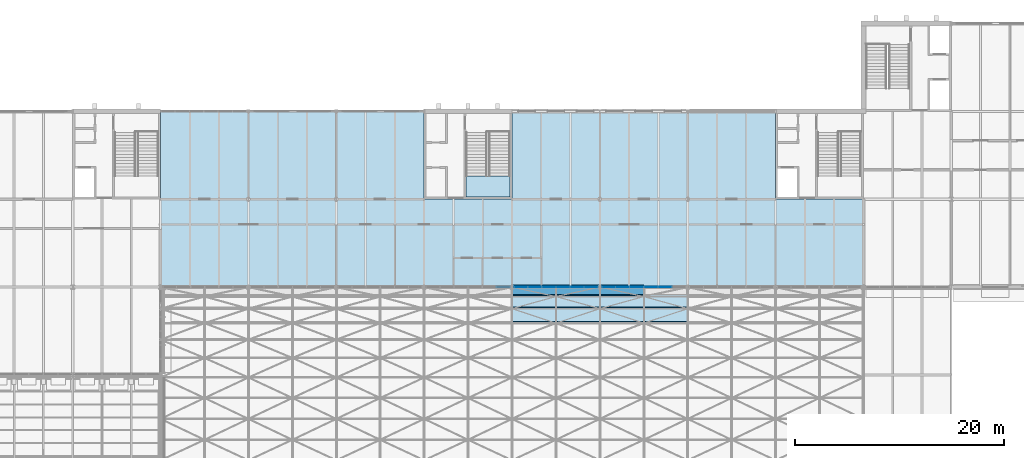
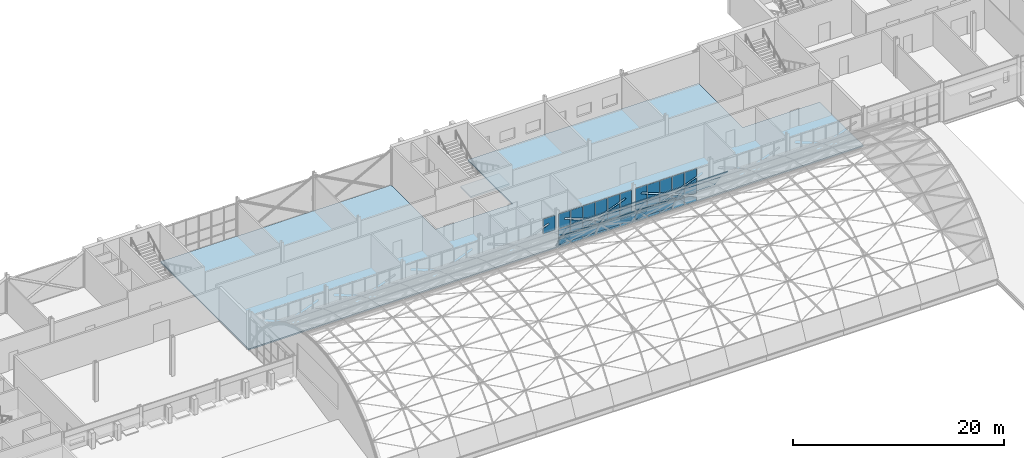
# One storey, part 77 of 121: 56 plates, 2 slabs, 4 elements without a shape of their own.
"""IFC4 building model written with IfcOpenShell, lengths in metres."""

from ifc_helpers import new_model, si_unit, direction, frame, origin, place, context, subcontext, project, spatial, polyline, outline, extrude, material, layer, layer_set, type_object, element, aggregate, save


model = new_model("IFC4")

# Units and contexts
model_context = context("Model", 3, precision=1e-05, world=origin(), true_north=direction((0.0, 1.0)))
body_context = subcontext(model_context, "Body", "Model", "MODEL_VIEW")
ifc_project = project(units=[si_unit("LENGTHUNIT", "METRE"), si_unit("AREAUNIT", "SQUARE_METRE"), si_unit("VOLUMEUNIT", "CUBIC_METRE"), si_unit("PLANEANGLEUNIT", "RADIAN"), si_unit("MASSUNIT", "GRAM", prefix="KILO")], contexts=[model_context])

# Site, building, storey
site_placement = place(None, origin())
site = spatial("IfcSite", under=ifc_project, at=site_placement, CompositionType="ELEMENT")
building_placement = place(site_placement, origin())
building = spatial("IfcBuilding", under=site, at=building_placement, Name="Ardhachandra Cancer Care Centre", CompositionType="ELEMENT")
storey_placement = place(building_placement, frame((0.0, 0.0, 9.0)))
storey = spatial("IfcBuildingStorey", under=building, at=storey_placement, Name="L02", CompositionType="ELEMENT", Elevation=9.0)

# Slab
ifc_material_1 = material(Name="Composite slab Concrete M30 on steel deck", Category="concrete")
ifc_layer_1 = layer(ifc_material_1, 0.14990234375)
ifc_layer_set_1 = layer_set([ifc_layer_1], Name="Composite slab Concrete M30 on steel deck")
slab_type_1 = type_object("IfcSlabType", Name="Composite floor slab 150", PredefinedType="FLOOR", material=ifc_layer_set_1)
slab_1_placement = place(storey_placement, frame((0.0, 0.0, -0.14990234375)))
element("IfcSlab", 1, at=slab_1_placement, inside=storey, type_object=slab_type_1, Name="Floor slab V1-strip", PredefinedType="FLOOR", context=body_context, shape_type="SweptSolid", body=[
    extrude(outline(polyline([(111.60009765625, 88.199951171875), (103.199951171875, 88.199951171875), (103.199951171875, 96.60009765625), (78.0, 96.60009765625), (78.0, 88.199951171875), (69.60009765625, 88.199951171875), (69.60009765625, 96.60009765625), (44.39990234375, 96.60009765625), (44.39990234375, 88.199951171875), (44.39990234375, 79.922119140625), (111.60009765625, 79.922119140625), (111.60009765625, 88.199951171875)])), origin(), (0.0, 0.0, 1.0), 0.14990234375),
])

# Curtain wall, plate
ifc_material_2 = material(Name="Aluminium extrusion", Category="aluminium")
ifc_layer_2 = layer(ifc_material_2, 0.14990234375)
ifc_layer_set_2 = layer_set([ifc_layer_2], Name="Aluminium extrusion")
curtain_wall_type = type_object("IfcCurtainWallType", Name="Curtain wall run", PredefinedType="NOTDEFINED", material=ifc_layer_set_2)
curtain_wall_1_placement = place(storey_placement, origin())
curtain_wall_1 = element("IfcCurtainWall", 2, at=curtain_wall_1_placement, inside=storey, type_object=curtain_wall_type, Name="Curtain wall L02 s/0069600_0079800", PredefinedType="NOTDEFINED")
ifc_material_3 = material(Name="Low-iron double-glazed unit")
ifc_layer_3 = layer(ifc_material_3, 0.028076171875)
ifc_layer_set_3 = layer_set([ifc_layer_3], Name="Low-iron double-glazed unit")
plate_type_1 = type_object("IfcPlateType", Name="Curtain wall glazing 28", PredefinedType="CURTAIN_PANEL", material=ifc_layer_set_3)
plate_1_placement = place(storey_placement, frame((76.530029296875, 79.800048828125, 3.825927734375), z_axis=(0.0, 1.0, 0.0), x_axis=(1.0, 0.0, 0.0)))
plate_1 = element("IfcPlate", 3, at=plate_1_placement, type_object=plate_type_1, Name="CW panel 6.3", PredefinedType="CURTAIN_PANEL", context=body_context, shape_type="SweptSolid", body=[
    extrude(outline(polyline([(0.0, 0.0), (1.260009765625, 0.0), (1.260009765625, 1.696044921875), (0.0, 1.696044921875), (0.0, 1.0986328125), (0.572021484375, 0.875), (0.59130859375, 0.86279296875), (0.614990234375, 0.837646484375), (0.63037109375, 0.806884765625), (0.635986328125, 0.77294921875), (0.63427734375, 0.750244140625), (0.628173828125, 0.72802734375), (0.61767578125, 0.70751953125), (0.603515625, 0.689453125), (0.576416015625, 0.66845703125), (0.555419921875, 0.6591796875), (0.532958984375, 0.654296875), (0.510009765625, 0.65380859375), (0.476318359375, 0.661376953125), (0.0, 0.84716796875), (0.0, 0.0)])), origin(), (0.0, 0.0, 1.0), 0.028076171875),
])
aggregate(curtain_wall_1, [plate_1])

# Curtain wall, plates
curtain_wall_2_placement = place(storey_placement, origin())
curtain_wall_2 = element("IfcCurtainWall", 4, at=curtain_wall_2_placement, inside=storey, type_object=curtain_wall_type, Name="Curtain wall L02 s/0078000_0079800", PredefinedType="NOTDEFINED")
plate_2_placement = place(storey_placement, frame((79.469970703125, 79.800048828125, 0.06005859375), z_axis=(0.0, 1.0, 0.0), x_axis=(-1.0, 0.0, 0.0)))
plate_2 = element("IfcPlate", 5, at=plate_2_placement, type_object=plate_type_1, Name="CW panel 1.1", PredefinedType="CURTAIN_PANEL", context=body_context, shape_type="SweptSolid", body=[
    extrude(outline(polyline([(0.0, 0.0), (1.0302734375, 0.0), (0.0, 0.438720703125), (0.0, 0.0)])), origin(), (0.0, 0.0, 1.0), 0.028076171875),
])
plate_3_placement = place(storey_placement, frame((78.2099609375, 79.800048828125, 0.8701171875), z_axis=(0.0, 1.0, 0.0), x_axis=(1.0, 0.0, 0.0)))
plate_3 = element("IfcPlate", 6, at=plate_3_placement, type_object=plate_type_1, Name="CW panel 1.1", PredefinedType="CURTAIN_PANEL", context=body_context, shape_type="SweptSolid", body=[
    extrude(outline(polyline([(0.0, 0.0), (1.260009765625, 0.0), (1.260009765625, 0.11669921875), (0.0, 0.6533203125), (0.0, 0.0)])), frame((0.0, 0.0, -0.028076171875)), (0.0, 0.0, 1.0), 0.028076171875),
])
plate_4_placement = place(storey_placement, frame((78.2099609375, 79.800048828125, 0.929931640625), z_axis=(0.0, 1.0, 0.0), x_axis=(0.0, 0.0, 1.0)))
plate_4 = element("IfcPlate", 7, at=plate_4_placement, type_object=plate_type_1, Name="CW panel 1.2", PredefinedType="CURTAIN_PANEL", context=body_context, shape_type="SweptSolid", body=[
    extrude(outline(polyline([(0.0, 0.0), (1.14013671875, 0.0), (1.14013671875, 1.260009765625), (0.0, 1.260009765625), (0.0, 0.0)])), origin(), (0.0, 0.0, 1.0), 0.028076171875),
])
plate_5_placement = place(storey_placement, frame((79.469970703125, 79.800048828125, 2.1298828125), z_axis=(0.0, 1.0, 0.0), x_axis=(-1.0, 0.0, 0.0)))
plate_5 = element("IfcPlate", 8, at=plate_5_placement, type_object=plate_type_1, Name="CW panel 1.3", PredefinedType="CURTAIN_PANEL", context=body_context, shape_type="SweptSolid", body=[
    extrude(outline(polyline([(0.0, 0.0), (1.260009765625, 0.0), (1.260009765625, 1.696044921875), (0.0, 1.696044921875), (0.0, 0.848876953125), (0.476318359375, 1.03466796875), (0.510009765625, 1.042236328125), (0.532958984375, 1.041748046875), (0.555419921875, 1.036865234375), (0.576416015625, 1.027587890625), (0.603515625, 1.006591796875), (0.61767578125, 0.988525390625), (0.628173828125, 0.968017578125), (0.63427734375, 0.94580078125), (0.635986328125, 0.923095703125), (0.63037109375, 0.88916015625), (0.62109375, 0.8681640625), (0.60009765625, 0.8408203125), (0.572021484375, 0.821044921875), (0.0, 0.597412109375), (0.0, 0.0)])), origin(), (0.0, 0.0, 1.0), 0.028076171875),
])
plate_6_placement = place(storey_placement, frame((80.820068359375, 79.800048828125, 0.8701171875), z_axis=(0.0, 1.0, 0.0), x_axis=(0.0, 0.0, -1.0)))
plate_6 = element("IfcPlate", 9, at=plate_6_placement, type_object=plate_type_1, Name="CW panel 2.1", PredefinedType="CURTAIN_PANEL", context=body_context, shape_type="SweptSolid", body=[
    extrude(outline(polyline([(0.0, 0.0), (0.81005859375, 0.0), (0.81005859375, 1.2900390625), (0.345703125, 1.2900390625), (0.0, 0.478515625), (0.0, 0.0)])), frame((0.0, 0.0, -0.028076171875)), (0.0, 0.0, 1.0), 0.028076171875),
])
plate_7_placement = place(storey_placement, frame((79.530029296875, 79.800048828125, 0.929931640625), z_axis=(0.0, 1.0, 0.0), x_axis=(0.0, 0.0, 1.0)))
plate_7 = element("IfcPlate", 10, at=plate_7_placement, type_object=plate_type_1, Name="CW panel 2.2", PredefinedType="CURTAIN_PANEL", context=body_context, shape_type="SweptSolid", body=[
    extrude(outline(polyline([(0.0, 0.0), (1.14013671875, 0.0), (1.14013671875, 1.2900390625), (0.3984375, 1.2900390625), (0.0, 0.3544921875), (0.0, 0.0)])), origin(), (0.0, 0.0, 1.0), 0.028076171875),
])
plate_8_placement = place(storey_placement, frame((80.820068359375, 79.800048828125, 2.1298828125), z_axis=(0.0, 1.0, 0.0), x_axis=(-1.0, 0.0, 0.0)))
plate_8 = element("IfcPlate", 11, at=plate_8_placement, type_object=plate_type_1, Name="CW panel 2.3", PredefinedType="CURTAIN_PANEL", context=body_context, shape_type="SweptSolid", body=[
    extrude(outline(polyline([(0.0, 0.0), (1.2900390625, 0.0), (1.2900390625, 0.573974609375), (0.0, 0.0712890625), (0.0, 0.0)])), origin(), (0.0, 0.0, 1.0), 0.028076171875),
])
plate_9_placement = place(storey_placement, frame((79.530029296875, 79.800048828125, 3.825927734375), z_axis=(0.0, 1.0, 0.0), x_axis=(1.0, 0.0, 0.0)))
plate_9 = element("IfcPlate", 12, at=plate_9_placement, type_object=plate_type_1, Name="CW panel 2.3", PredefinedType="CURTAIN_PANEL", context=body_context, shape_type="SweptSolid", body=[
    extrude(outline(polyline([(0.0, 0.0), (1.2900390625, 0.0), (1.2900390625, 1.373291015625), (0.0, 0.87060546875), (0.0, 0.0)])), frame((0.0, 0.0, -0.028076171875)), (0.0, 0.0, 1.0), 0.028076171875),
])
plate_10_placement = place(storey_placement, frame((80.8798828125, 79.800048828125, 0.06005859375), z_axis=(0.0, 1.0, 0.0), x_axis=(0.0, 0.0, 1.0)))
plate_10 = element("IfcPlate", 13, at=plate_10_placement, type_object=plate_type_1, Name="CW panel 3.1", PredefinedType="CURTAIN_PANEL", context=body_context, shape_type="SweptSolid", body=[
    extrude(outline(polyline([(0.0, 0.0), (0.81005859375, 0.0), (0.81005859375, 1.2900390625), (0.0, 1.2900390625), (0.0, 0.0)])), origin(), (0.0, 0.0, 1.0), 0.028076171875),
])
plate_11_placement = place(storey_placement, frame((82.169921875, 79.800048828125, 0.929931640625), z_axis=(0.0, 1.0, 0.0), x_axis=(-1.0, 0.0, 0.0)))
plate_11 = element("IfcPlate", 14, at=plate_11_placement, type_object=plate_type_1, Name="CW panel 3.2", PredefinedType="CURTAIN_PANEL", context=body_context, shape_type="SweptSolid", body=[
    extrude(outline(polyline([(0.0, 0.0), (1.2900390625, 0.0), (1.2900390625, 0.16943359375), (0.0, 0.718994140625), (0.0, 0.0)])), origin(), (0.0, 0.0, 1.0), 0.028076171875),
])
plate_12_placement = place(storey_placement, frame((80.8798828125, 79.800048828125, 2.070068359375), z_axis=(0.0, 1.0, 0.0), x_axis=(1.0, 0.0, 0.0)))
plate_12 = element("IfcPlate", 15, at=plate_12_placement, type_object=plate_type_1, Name="CW panel 3.2", PredefinedType="CURTAIN_PANEL", context=body_context, shape_type="SweptSolid", body=[
    extrude(outline(polyline([(0.0, 0.0), (0.2763671875, 0.0), (1.009765625, 0.285888671875), (0.0, 0.716064453125), (0.0, 0.0)])), frame((0.0, 0.0, -0.028076171875)), (0.0, 0.0, 1.0), 0.028076171875),
])
plate_13_placement = place(storey_placement, frame((80.8798828125, 79.800048828125, 3.825927734375), z_axis=(0.0, 1.0, 0.0), x_axis=(1.0, 0.0, 0.0)))
plate_13 = element("IfcPlate", 16, at=plate_13_placement, type_object=plate_type_1, Name="CW panel 3.3", PredefinedType="CURTAIN_PANEL", context=body_context, shape_type="SweptSolid", body=[
    extrude(outline(polyline([(0.0, 0.0), (1.2900390625, 0.0), (1.2900390625, 1.696044921875), (0.767578125, 1.696044921875), (0.0, 1.396728515625), (0.0, 0.0)])), origin(), (0.0, 0.0, 1.0), 0.028076171875),
])
plate_14_placement = place(storey_placement, frame((82.22998046875, 79.800048828125, 0.06005859375), z_axis=(0.0, 1.0, 0.0), x_axis=(0.0, 0.0, 1.0)))
plate_14 = element("IfcPlate", 17, at=plate_14_placement, type_object=plate_type_1, Name="CW panel 4.1", PredefinedType="CURTAIN_PANEL", context=body_context, shape_type="SweptSolid", body=[
    extrude(outline(polyline([(0.0, 0.0), (0.81005859375, 0.0), (0.81005859375, 1.2900390625), (0.0, 1.2900390625), (0.0, 0.0)])), origin(), (0.0, 0.0, 1.0), 0.028076171875),
])
plate_15_placement = place(storey_placement, frame((83.52001953125, 79.800048828125, 0.929931640625), z_axis=(0.0, 1.0, 0.0), x_axis=(-1.0, 0.0, 0.0)))
plate_15 = element("IfcPlate", 18, at=plate_15_placement, type_object=plate_type_1, Name="CW panel 4.2", PredefinedType="CURTAIN_PANEL", context=body_context, shape_type="SweptSolid", body=[
    extrude(outline(polyline([(0.0, 0.0), (1.2900390625, 0.0), (1.2900390625, 0.718994140625), (0.0, 0.16943359375), (0.0, 0.0)])), origin(), (0.0, 0.0, 1.0), 0.028076171875),
])
plate_16_placement = place(storey_placement, frame((83.52001953125, 79.800048828125, 2.070068359375), z_axis=(0.0, 1.0, 0.0), x_axis=(0.0, 0.0, -1.0)))
plate_16 = element("IfcPlate", 19, at=plate_16_placement, type_object=plate_type_1, Name="CW panel 4.2", PredefinedType="CURTAIN_PANEL", context=body_context, shape_type="SweptSolid", body=[
    extrude(outline(polyline([(0.0, 0.0), (0.716064453125, 0.0), (0.285888671875, 1.009765625), (0.0, 0.2763671875), (0.0, 0.0)])), frame((0.0, 0.0, -0.028076171875)), (0.0, 0.0, 1.0), 0.028076171875),
])
plate_17_placement = place(storey_placement, frame((82.22998046875, 79.800048828125, 2.1298828125), z_axis=(0.0, 1.0, 0.0), x_axis=(0.0, 0.0, 1.0)))
plate_17 = element("IfcPlate", 20, at=plate_17_placement, type_object=plate_type_1, Name="CW panel 4.3", PredefinedType="CURTAIN_PANEL", context=body_context, shape_type="SweptSolid", body=[
    extrude(outline(polyline([(0.0, 0.0), (1.696044921875, 0.0), (1.696044921875, 1.2900390625), (0.29931640625, 1.2900390625), (0.0, 0.5224609375), (0.0, 0.0)])), origin(), (0.0, 0.0, 1.0), 0.028076171875),
])
plate_18_placement = place(storey_placement, frame((84.8701171875, 79.800048828125, 0.06005859375), z_axis=(0.0, 1.0, 0.0), x_axis=(-1.0, 0.0, 0.0)))
plate_18 = element("IfcPlate", 21, at=plate_18_placement, type_object=plate_type_1, Name="CW panel 5.1", PredefinedType="CURTAIN_PANEL", context=body_context, shape_type="SweptSolid", body=[
    extrude(outline(polyline([(0.0, 0.0), (1.2900390625, 0.0), (1.2900390625, 0.81005859375), (0.8115234375, 0.81005859375), (0.0, 0.46435546875), (0.0, 0.0)])), origin(), (0.0, 0.0, 1.0), 0.028076171875),
])
plate_19_placement = place(storey_placement, frame((83.580078125, 79.800048828125, 2.070068359375), z_axis=(0.0, 1.0, 0.0), x_axis=(1.0, 0.0, 0.0)))
plate_19 = element("IfcPlate", 22, at=plate_19_placement, type_object=plate_type_1, Name="CW panel 5.2", PredefinedType="CURTAIN_PANEL", context=body_context, shape_type="SweptSolid", body=[
    extrude(outline(polyline([(0.0, 0.0), (1.2900390625, 0.0), (1.2900390625, 1.14013671875), (0.935546875, 1.14013671875), (0.0, 0.74169921875), (0.0, 0.0)])), origin(), (0.0, 0.0, 1.0), 0.028076171875),
])
plate_20_placement = place(storey_placement, frame((84.8701171875, 79.800048828125, 2.1298828125), z_axis=(0.0, 1.0, 0.0), x_axis=(-1.0, 0.0, 0.0)))
plate_20 = element("IfcPlate", 23, at=plate_20_placement, type_object=plate_type_1, Name="CW panel 5.3", PredefinedType="CURTAIN_PANEL", context=body_context, shape_type="SweptSolid", body=[
    extrude(outline(polyline([(0.0, 0.0), (1.2900390625, 0.0), (1.2900390625, 0.0712890625), (0.0, 0.573974609375), (0.0, 0.0)])), origin(), (0.0, 0.0, 1.0), 0.028076171875),
])
plate_21_placement = place(storey_placement, frame((83.580078125, 79.800048828125, 3.825927734375), z_axis=(0.0, 1.0, 0.0), x_axis=(1.0, 0.0, 0.0)))
plate_21 = element("IfcPlate", 24, at=plate_21_placement, type_object=plate_type_1, Name="CW panel 5.3", PredefinedType="CURTAIN_PANEL", context=body_context, shape_type="SweptSolid", body=[
    extrude(outline(polyline([(0.0, 0.0), (1.2900390625, 0.0), (1.2900390625, 0.87060546875), (0.0, 1.373291015625), (0.0, 0.0)])), frame((0.0, 0.0, -0.028076171875)), (0.0, 0.0, 1.0), 0.028076171875),
])
plate_22_placement = place(storey_placement, frame((84.929931640625, 79.800048828125, 0.8701171875), z_axis=(0.0, 1.0, 0.0), x_axis=(1.0, 0.0, 0.0)))
plate_22 = element("IfcPlate", 25, at=plate_22_placement, type_object=plate_type_1, Name="CW panel 6.1", PredefinedType="CURTAIN_PANEL", context=body_context, shape_type="SweptSolid", body=[
    extrude(outline(polyline([(0.0, 0.0), (1.260009765625, 0.0), (1.260009765625, 0.6533203125), (0.0, 0.11669921875), (0.0, 0.0)])), origin(), (0.0, 0.0, 1.0), 0.028076171875),
])
plate_23_placement = place(storey_placement, frame((84.929931640625, 79.800048828125, 0.06005859375), z_axis=(0.0, 1.0, 0.0), x_axis=(0.0, 0.0, 1.0)))
plate_23 = element("IfcPlate", 26, at=plate_23_placement, type_object=plate_type_1, Name="CW panel 6.1", PredefinedType="CURTAIN_PANEL", context=body_context, shape_type="SweptSolid", body=[
    extrude(outline(polyline([(0.0, 0.0), (0.438720703125, 0.0), (0.0, 1.0302734375), (0.0, 0.0)])), frame((0.0, 0.0, -0.028076171875)), (0.0, 0.0, 1.0), 0.028076171875),
])
plate_24_placement = place(storey_placement, frame((84.929931640625, 79.800048828125, 0.929931640625), z_axis=(0.0, 1.0, 0.0), x_axis=(0.0, 0.0, 1.0)))
plate_24 = element("IfcPlate", 27, at=plate_24_placement, type_object=plate_type_1, Name="CW panel 6.2", PredefinedType="CURTAIN_PANEL", context=body_context, shape_type="SweptSolid", body=[
    extrude(outline(polyline([(0.0, 0.0), (1.14013671875, 0.0), (1.14013671875, 1.260009765625), (0.0, 1.260009765625), (0.0, 0.0)])), origin(), (0.0, 0.0, 1.0), 0.028076171875),
])
plate_25_placement = place(storey_placement, frame((84.929931640625, 79.800048828125, 3.825927734375), z_axis=(0.0, 1.0, 0.0), x_axis=(1.0, 0.0, 0.0)))
plate_25 = element("IfcPlate", 28, at=plate_25_placement, type_object=plate_type_1, Name="CW panel 6.3", PredefinedType="CURTAIN_PANEL", context=body_context, shape_type="SweptSolid", body=[
    extrude(outline(polyline([(0.0, 0.0), (1.260009765625, 0.0), (1.260009765625, 1.696044921875), (0.0, 1.696044921875), (0.0, 1.0986328125), (0.572021484375, 0.875), (0.591552734375, 0.86279296875), (0.614990234375, 0.837646484375), (0.63037109375, 0.806884765625), (0.63623046875, 0.77294921875), (0.634521484375, 0.750244140625), (0.628173828125, 0.72802734375), (0.617919921875, 0.70751953125), (0.603515625, 0.689453125), (0.576416015625, 0.66845703125), (0.555419921875, 0.6591796875), (0.532958984375, 0.654296875), (0.510009765625, 0.65380859375), (0.4765625, 0.661376953125), (0.0, 0.84716796875), (0.0, 0.0)])), origin(), (0.0, 0.0, 1.0), 0.028076171875),
])
aggregate(curtain_wall_2, [plate_2, plate_3, plate_4, plate_5, plate_6, plate_7, plate_8, plate_9, plate_10, plate_11, plate_12, plate_13, plate_14, plate_15, plate_16, plate_17, plate_18, plate_19, plate_20, plate_21, plate_22, plate_23, plate_24, plate_25])

curtain_wall_3_placement = place(storey_placement, origin())
curtain_wall_3 = element("IfcCurtainWall", 29, at=curtain_wall_3_placement, inside=storey, type_object=curtain_wall_type, Name="Curtain wall L02 s/0086400_0079800", PredefinedType="NOTDEFINED")
plate_26_placement = place(storey_placement, frame((87.8701171875, 79.800048828125, 0.06005859375), z_axis=(0.0, 1.0, 0.0), x_axis=(-1.0, 0.0, 0.0)))
plate_26 = element("IfcPlate", 30, at=plate_26_placement, type_object=plate_type_1, Name="CW panel 1.1", PredefinedType="CURTAIN_PANEL", context=body_context, shape_type="SweptSolid", body=[
    extrude(outline(polyline([(0.0, 0.0), (1.0302734375, 0.0), (0.0, 0.438720703125), (0.0, 0.0)])), origin(), (0.0, 0.0, 1.0), 0.028076171875),
])
plate_27_placement = place(storey_placement, frame((86.610107421875, 79.800048828125, 0.8701171875), z_axis=(0.0, 1.0, 0.0), x_axis=(1.0, 0.0, 0.0)))
plate_27 = element("IfcPlate", 31, at=plate_27_placement, type_object=plate_type_1, Name="CW panel 1.1", PredefinedType="CURTAIN_PANEL", context=body_context, shape_type="SweptSolid", body=[
    extrude(outline(polyline([(0.0, 0.0), (1.260009765625, 0.0), (1.260009765625, 0.11669921875), (0.0, 0.6533203125), (0.0, 0.0)])), frame((0.0, 0.0, -0.028076171875)), (0.0, 0.0, 1.0), 0.028076171875),
])
plate_28_placement = place(storey_placement, frame((86.610107421875, 79.800048828125, 0.929931640625), z_axis=(0.0, 1.0, 0.0), x_axis=(0.0, 0.0, 1.0)))
plate_28 = element("IfcPlate", 32, at=plate_28_placement, type_object=plate_type_1, Name="CW panel 1.2", PredefinedType="CURTAIN_PANEL", context=body_context, shape_type="SweptSolid", body=[
    extrude(outline(polyline([(0.0, 0.0), (1.14013671875, 0.0), (1.14013671875, 1.260009765625), (0.0, 1.260009765625), (0.0, 0.0)])), origin(), (0.0, 0.0, 1.0), 0.028076171875),
])
plate_29_placement = place(storey_placement, frame((87.8701171875, 79.800048828125, 2.1298828125), z_axis=(0.0, 1.0, 0.0), x_axis=(-1.0, 0.0, 0.0)))
plate_29 = element("IfcPlate", 33, at=plate_29_placement, type_object=plate_type_1, Name="CW panel 1.3", PredefinedType="CURTAIN_PANEL", context=body_context, shape_type="SweptSolid", body=[
    extrude(outline(polyline([(0.0, 0.0), (1.260009765625, 0.0), (1.260009765625, 1.696044921875), (0.0, 1.696044921875), (0.0, 0.848876953125), (0.4765625, 1.03466796875), (0.510009765625, 1.042236328125), (0.532958984375, 1.041748046875), (0.555419921875, 1.036865234375), (0.586181640625, 1.021484375), (0.603759765625, 1.006591796875), (0.617919921875, 0.988525390625), (0.628173828125, 0.968017578125), (0.634521484375, 0.94580078125), (0.63623046875, 0.923095703125), (0.63037109375, 0.88916015625), (0.621337890625, 0.8681640625), (0.60009765625, 0.8408203125), (0.572265625, 0.821044921875), (0.0, 0.597412109375), (0.0, 0.0)])), origin(), (0.0, 0.0, 1.0), 0.028076171875),
])
plate_30_placement = place(storey_placement, frame((89.219970703125, 79.800048828125, 0.8701171875), z_axis=(0.0, 1.0, 0.0), x_axis=(0.0, 0.0, -1.0)))
plate_30 = element("IfcPlate", 34, at=plate_30_placement, type_object=plate_type_1, Name="CW panel 2.1", PredefinedType="CURTAIN_PANEL", context=body_context, shape_type="SweptSolid", body=[
    extrude(outline(polyline([(0.0, 0.0), (0.81005859375, 0.0), (0.81005859375, 1.2900390625), (0.345703125, 1.2900390625), (0.0, 0.478515625), (0.0, 0.0)])), frame((0.0, 0.0, -0.028076171875)), (0.0, 0.0, 1.0), 0.028076171875),
])
plate_31_placement = place(storey_placement, frame((87.929931640625, 79.800048828125, 0.929931640625), z_axis=(0.0, 1.0, 0.0), x_axis=(0.0, 0.0, 1.0)))
plate_31 = element("IfcPlate", 35, at=plate_31_placement, type_object=plate_type_1, Name="CW panel 2.2", PredefinedType="CURTAIN_PANEL", context=body_context, shape_type="SweptSolid", body=[
    extrude(outline(polyline([(0.0, 0.0), (1.14013671875, 0.0), (1.14013671875, 1.2900390625), (0.3984375, 1.2900390625), (0.0, 0.3544921875), (0.0, 0.0)])), origin(), (0.0, 0.0, 1.0), 0.028076171875),
])
plate_32_placement = place(storey_placement, frame((89.219970703125, 79.800048828125, 2.1298828125), z_axis=(0.0, 1.0, 0.0), x_axis=(-1.0, 0.0, 0.0)))
plate_32 = element("IfcPlate", 36, at=plate_32_placement, type_object=plate_type_1, Name="CW panel 2.3", PredefinedType="CURTAIN_PANEL", context=body_context, shape_type="SweptSolid", body=[
    extrude(outline(polyline([(0.0, 0.0), (1.2900390625, 0.0), (1.2900390625, 0.573974609375), (0.0, 0.0712890625), (0.0, 0.0)])), origin(), (0.0, 0.0, 1.0), 0.028076171875),
])
plate_33_placement = place(storey_placement, frame((87.929931640625, 79.800048828125, 3.825927734375), z_axis=(0.0, 1.0, 0.0), x_axis=(1.0, 0.0, 0.0)))
plate_33 = element("IfcPlate", 37, at=plate_33_placement, type_object=plate_type_1, Name="CW panel 2.3", PredefinedType="CURTAIN_PANEL", context=body_context, shape_type="SweptSolid", body=[
    extrude(outline(polyline([(0.0, 0.0), (1.2900390625, 0.0), (1.2900390625, 1.373291015625), (0.0, 0.87060546875), (0.0, 0.0)])), frame((0.0, 0.0, -0.028076171875)), (0.0, 0.0, 1.0), 0.028076171875),
])
plate_34_placement = place(storey_placement, frame((89.280029296875, 79.800048828125, 0.06005859375), z_axis=(0.0, 1.0, 0.0), x_axis=(0.0, 0.0, 1.0)))
plate_34 = element("IfcPlate", 38, at=plate_34_placement, type_object=plate_type_1, Name="CW panel 3.1", PredefinedType="CURTAIN_PANEL", context=body_context, shape_type="SweptSolid", body=[
    extrude(outline(polyline([(0.0, 0.0), (0.81005859375, 0.0), (0.81005859375, 1.2900390625), (0.0, 1.2900390625), (0.0, 0.0)])), origin(), (0.0, 0.0, 1.0), 0.028076171875),
])
plate_35_placement = place(storey_placement, frame((90.570068359375, 79.800048828125, 0.929931640625), z_axis=(0.0, 1.0, 0.0), x_axis=(-1.0, 0.0, 0.0)))
plate_35 = element("IfcPlate", 39, at=plate_35_placement, type_object=plate_type_1, Name="CW panel 3.2", PredefinedType="CURTAIN_PANEL", context=body_context, shape_type="SweptSolid", body=[
    extrude(outline(polyline([(0.0, 0.0), (1.2900390625, 0.0), (1.2900390625, 0.16943359375), (0.0, 0.718994140625), (0.0, 0.0)])), origin(), (0.0, 0.0, 1.0), 0.028076171875),
])
plate_36_placement = place(storey_placement, frame((89.280029296875, 79.800048828125, 2.070068359375), z_axis=(0.0, 1.0, 0.0), x_axis=(1.0, 0.0, 0.0)))
plate_36 = element("IfcPlate", 40, at=plate_36_placement, type_object=plate_type_1, Name="CW panel 3.2", PredefinedType="CURTAIN_PANEL", context=body_context, shape_type="SweptSolid", body=[
    extrude(outline(polyline([(0.0, 0.0), (0.2763671875, 0.0), (1.009765625, 0.285888671875), (0.0, 0.716064453125), (0.0, 0.0)])), frame((0.0, 0.0, -0.028076171875)), (0.0, 0.0, 1.0), 0.028076171875),
])
plate_37_placement = place(storey_placement, frame((89.280029296875, 79.800048828125, 3.825927734375), z_axis=(0.0, 1.0, 0.0), x_axis=(1.0, 0.0, 0.0)))
plate_37 = element("IfcPlate", 41, at=plate_37_placement, type_object=plate_type_1, Name="CW panel 3.3", PredefinedType="CURTAIN_PANEL", context=body_context, shape_type="SweptSolid", body=[
    extrude(outline(polyline([(0.0, 0.0), (1.2900390625, 0.0), (1.2900390625, 1.696044921875), (0.767578125, 1.696044921875), (0.0, 1.396728515625), (0.0, 0.0)])), origin(), (0.0, 0.0, 1.0), 0.028076171875),
])
plate_38_placement = place(storey_placement, frame((90.6298828125, 79.800048828125, 0.06005859375), z_axis=(0.0, 1.0, 0.0), x_axis=(0.0, 0.0, 1.0)))
plate_38 = element("IfcPlate", 42, at=plate_38_placement, type_object=plate_type_1, Name="CW panel 4.1", PredefinedType="CURTAIN_PANEL", context=body_context, shape_type="SweptSolid", body=[
    extrude(outline(polyline([(0.0, 0.0), (0.81005859375, 0.0), (0.81005859375, 1.2900390625), (0.0, 1.2900390625), (0.0, 0.0)])), origin(), (0.0, 0.0, 1.0), 0.028076171875),
])
plate_39_placement = place(storey_placement, frame((91.919921875, 79.800048828125, 0.929931640625), z_axis=(0.0, 1.0, 0.0), x_axis=(-1.0, 0.0, 0.0)))
plate_39 = element("IfcPlate", 43, at=plate_39_placement, type_object=plate_type_1, Name="CW panel 4.2", PredefinedType="CURTAIN_PANEL", context=body_context, shape_type="SweptSolid", body=[
    extrude(outline(polyline([(0.0, 0.0), (1.2900390625, 0.0), (1.2900390625, 0.718994140625), (0.0, 0.16943359375), (0.0, 0.0)])), origin(), (0.0, 0.0, 1.0), 0.028076171875),
])
plate_40_placement = place(storey_placement, frame((91.919921875, 79.800048828125, 2.070068359375), z_axis=(0.0, 1.0, 0.0), x_axis=(0.0, 0.0, -1.0)))
plate_40 = element("IfcPlate", 44, at=plate_40_placement, type_object=plate_type_1, Name="CW panel 4.2", PredefinedType="CURTAIN_PANEL", context=body_context, shape_type="SweptSolid", body=[
    extrude(outline(polyline([(0.0, 0.0), (0.716064453125, 0.0), (0.285888671875, 1.009765625), (0.0, 0.276123046875), (0.0, 0.0)])), frame((0.0, 0.0, -0.028076171875)), (0.0, 0.0, 1.0), 0.028076171875),
])
plate_41_placement = place(storey_placement, frame((90.6298828125, 79.800048828125, 2.1298828125), z_axis=(0.0, 1.0, 0.0), x_axis=(0.0, 0.0, 1.0)))
plate_41 = element("IfcPlate", 45, at=plate_41_placement, type_object=plate_type_1, Name="CW panel 4.3", PredefinedType="CURTAIN_PANEL", context=body_context, shape_type="SweptSolid", body=[
    extrude(outline(polyline([(0.0, 0.0), (1.696044921875, 0.0), (1.696044921875, 1.2900390625), (0.29931640625, 1.2900390625), (0.0, 0.522705078125), (0.0, 0.0)])), origin(), (0.0, 0.0, 1.0), 0.028076171875),
])
plate_42_placement = place(storey_placement, frame((93.27001953125, 79.800048828125, 0.06005859375), z_axis=(0.0, 1.0, 0.0), x_axis=(-1.0, 0.0, 0.0)))
plate_42 = element("IfcPlate", 46, at=plate_42_placement, type_object=plate_type_1, Name="CW panel 5.1", PredefinedType="CURTAIN_PANEL", context=body_context, shape_type="SweptSolid", body=[
    extrude(outline(polyline([(0.0, 0.0), (1.2900390625, 0.0), (1.2900390625, 0.81005859375), (0.8115234375, 0.81005859375), (0.0, 0.46435546875), (0.0, 0.0)])), origin(), (0.0, 0.0, 1.0), 0.028076171875),
])
plate_43_placement = place(storey_placement, frame((91.97998046875, 79.800048828125, 2.070068359375), z_axis=(0.0, 1.0, 0.0), x_axis=(1.0, 0.0, 0.0)))
plate_43 = element("IfcPlate", 47, at=plate_43_placement, type_object=plate_type_1, Name="CW panel 5.2", PredefinedType="CURTAIN_PANEL", context=body_context, shape_type="SweptSolid", body=[
    extrude(outline(polyline([(0.0, 0.0), (1.2900390625, 0.0), (1.2900390625, 1.14013671875), (0.935546875, 1.14013671875), (0.0, 0.74169921875), (0.0, 0.0)])), origin(), (0.0, 0.0, 1.0), 0.028076171875),
])
plate_44_placement = place(storey_placement, frame((93.27001953125, 79.800048828125, 2.1298828125), z_axis=(0.0, 1.0, 0.0), x_axis=(-1.0, 0.0, 0.0)))
plate_44 = element("IfcPlate", 48, at=plate_44_placement, type_object=plate_type_1, Name="CW panel 5.3", PredefinedType="CURTAIN_PANEL", context=body_context, shape_type="SweptSolid", body=[
    extrude(outline(polyline([(0.0, 0.0), (1.2900390625, 0.0), (1.2900390625, 0.0712890625), (0.0, 0.573974609375), (0.0, 0.0)])), origin(), (0.0, 0.0, 1.0), 0.028076171875),
])
plate_45_placement = place(storey_placement, frame((91.97998046875, 79.800048828125, 3.825927734375), z_axis=(0.0, 1.0, 0.0), x_axis=(1.0, 0.0, 0.0)))
plate_45 = element("IfcPlate", 49, at=plate_45_placement, type_object=plate_type_1, Name="CW panel 5.3", PredefinedType="CURTAIN_PANEL", context=body_context, shape_type="SweptSolid", body=[
    extrude(outline(polyline([(0.0, 0.0), (1.2900390625, 0.0), (1.2900390625, 0.87060546875), (0.0, 1.373291015625), (0.0, 0.0)])), frame((0.0, 0.0, -0.028076171875)), (0.0, 0.0, 1.0), 0.028076171875),
])
aggregate(curtain_wall_3, [plate_26, plate_27, plate_28, plate_29, plate_30, plate_31, plate_32, plate_33, plate_34, plate_35, plate_36, plate_37, plate_38, plate_39, plate_40, plate_41, plate_42, plate_43, plate_44, plate_45])

# Plates
ifc_material_4 = material(Name="Insulated metal roof panel (galvalume skins, PIR core)")
ifc_layer_4 = layer(ifc_material_4, 0.10009765625)
ifc_layer_set_4 = layer_set([ifc_layer_4], Name="Insulated metal roof panel (galvalume skins, PIR core)")
plate_type_2 = type_object("IfcPlateType", Name="Gridshell insulated panel 100", PredefinedType="SHEET", material=ifc_layer_set_4)
plate_46_placement = place(storey_placement, frame((78.0, 76.44189453125, 4.96044921875), z_axis=(0.0, 0.723236652239, 0.690600278641), x_axis=(1.0, 0.0, 0.0)))
element("IfcPlate", 50, at=plate_46_placement, inside=storey, type_object=plate_type_2, Name="Roof cell H 9.14", PredefinedType="SHEET", context=body_context, shape_type="SweptSolid", body=[
    extrude(outline(polyline([(0.0, 0.0), (4.199951171875, 0.0), (4.199951171875, 2.0048828125), (0.0, 2.0048828125), (0.0, 0.0)])), origin(), (0.0, 0.0, 1.0), 0.10009765625),
])
for number, where, z_axis, x_axis, name in (
    (51, (78.0, 77.837890625, 3.49658203125), (0.0, 0.816660624076, 0.577118207202), (1.0, 0.0, 0.0), "Roof cell H 9.15"),
    (52, (78.0, 79.004150390625, 1.843994140625), (0.0, 0.892298140355, 0.451446595645), (1.0, 0.0, 0.0), "Roof cell H 9.16"),
):
    element("IfcPlate", number, at=place(storey_placement, frame(where, z_axis=z_axis, x_axis=x_axis)), inside=storey, type_object=plate_type_2, Name=name, PredefinedType="SHEET", context=body_context, shape_type="SweptSolid", body=[
        extrude(outline(polyline([(0.0, 0.0), (4.199951171875, 0.0), (4.199951171875, 2.004638671875), (0.0, 2.004638671875), (0.0, 0.0)])), origin(), (0.0, 0.0, 1.0), 0.10009765625),
    ])
plate_47_placement = place(storey_placement, frame((82.199951171875, 76.44189453125, 4.96044921875), z_axis=(0.0, 0.723236652239, 0.690600278641), x_axis=(1.0, 0.0, 0.0)))
element("IfcPlate", 53, at=plate_47_placement, inside=storey, type_object=plate_type_2, Name="Roof cell H 10.14", PredefinedType="SHEET", context=body_context, shape_type="SweptSolid", body=[
    extrude(outline(polyline([(0.0, 0.0), (4.199951171875, 0.0), (4.199951171875, 2.0048828125), (0.0, 2.0048828125), (0.0, 0.0)])), origin(), (0.0, 0.0, 1.0), 0.10009765625),
])
for number, where, z_axis, x_axis, name in (
    (54, (82.199951171875, 77.837890625, 3.49658203125), (0.0, 0.816660624076, 0.577118207202), (1.0, 0.0, 0.0), "Roof cell H 10.15"),
    (55, (82.199951171875, 79.004150390625, 1.843994140625), (0.0, 0.892298140355, 0.451446595645), (1.0, 0.0, 0.0), "Roof cell H 10.16"),
):
    element("IfcPlate", number, at=place(storey_placement, frame(where, z_axis=z_axis, x_axis=x_axis)), inside=storey, type_object=plate_type_2, Name=name, PredefinedType="SHEET", context=body_context, shape_type="SweptSolid", body=[
        extrude(outline(polyline([(0.0, 0.0), (4.199951171875, 0.0), (4.199951171875, 2.004638671875), (0.0, 2.004638671875), (0.0, 0.0)])), origin(), (0.0, 0.0, 1.0), 0.10009765625),
    ])
plate_48_placement = place(storey_placement, frame((86.39990234375, 76.44189453125, 4.96044921875), z_axis=(0.0, 0.723236652239, 0.690600278641), x_axis=(1.0, 0.0, 0.0)))
element("IfcPlate", 56, at=plate_48_placement, inside=storey, type_object=plate_type_2, Name="Roof cell H 11.14", PredefinedType="SHEET", context=body_context, shape_type="SweptSolid", body=[
    extrude(outline(polyline([(0.0, 0.0), (4.2001953125, 0.0), (4.2001953125, 2.0048828125), (0.0, 2.0048828125), (0.0, 0.0)])), origin(), (0.0, 0.0, 1.0), 0.10009765625),
])
for number, where, z_axis, x_axis, name in (
    (57, (86.39990234375, 77.837890625, 3.49658203125), (0.0, 0.816660624076, 0.577118207202), (1.0, 0.0, 0.0), "Roof cell H 11.15"),
    (58, (86.39990234375, 79.004150390625, 1.843994140625), (0.0, 0.892298140355, 0.451446595645), (1.0, 0.0, 0.0), "Roof cell H 11.16"),
):
    element("IfcPlate", number, at=place(storey_placement, frame(where, z_axis=z_axis, x_axis=x_axis)), inside=storey, type_object=plate_type_2, Name=name, PredefinedType="SHEET", context=body_context, shape_type="SweptSolid", body=[
        extrude(outline(polyline([(0.0, 0.0), (4.2001953125, 0.0), (4.2001953125, 2.004638671875), (0.0, 2.004638671875), (0.0, 0.0)])), origin(), (0.0, 0.0, 1.0), 0.10009765625),
    ])
plate_49_placement = place(storey_placement, frame((90.60009765625, 76.44189453125, 4.96044921875), z_axis=(0.0, 0.723236652239, 0.690600278641), x_axis=(1.0, 0.0, 0.0)))
element("IfcPlate", 59, at=plate_49_placement, inside=storey, type_object=plate_type_2, Name="Roof cell H 12.14", PredefinedType="SHEET", context=body_context, shape_type="SweptSolid", body=[
    extrude(outline(polyline([(0.0, 0.0), (4.199951171875, 0.0), (4.199951171875, 2.0048828125), (0.0, 2.0048828125), (0.0, 0.0)])), origin(), (0.0, 0.0, 1.0), 0.10009765625),
])
plate_50_placement = place(storey_placement, frame((90.60009765625, 77.837890625, 3.49658203125), z_axis=(0.0, 0.816660624076, 0.577118207202), x_axis=(1.0, 0.0, 0.0)))
element("IfcPlate", 60, at=plate_50_placement, inside=storey, type_object=plate_type_2, Name="Roof cell H 12.15", PredefinedType="SHEET", context=body_context, shape_type="SweptSolid", body=[
    extrude(outline(polyline([(0.0, 0.0), (4.199951171875, 0.0), (4.199951171875, 2.004638671875), (0.0, 2.004638671875), (0.0, 0.0)])), origin(), (0.0, 0.0, 1.0), 0.10009765625),
])

# Stair, slab
ifc_material_5 = material(Name="Concrete M40", Category="concrete")
stair_type = type_object("IfcStairType", Name="Dog-leg stair 2000", PredefinedType="HALF_TURN_STAIR", material=ifc_material_5)
stair_placement = place(storey_placement, origin())
stair = element("IfcStair", 61, at=stair_placement, inside=storey, type_object=stair_type, Name="Stair K8 L02-L03", PredefinedType="HALF_TURN_STAIR")
ifc_material_6 = material(Name="Concrete M40", Category="concrete")
ifc_layer_5 = layer(ifc_material_6, 0.199951171875)
ifc_layer_set_5 = layer_set([ifc_layer_5], Name="Concrete M40")
slab_type_2 = type_object("IfcSlabType", Name="Stair landing 200", PredefinedType="LANDING", material=ifc_layer_set_5)
slab_2_placement = place(storey_placement, frame((0.0, 0.0, 2.050048828125)))
slab_2 = element("IfcSlab", 62, at=slab_2_placement, type_object=slab_type_2, Name="stair K8 L02-L03 landing 1", PredefinedType="LANDING", context=body_context, shape_type="SweptSolid", body=[
    extrude(outline(polyline([(73.60009765625, 88.39990234375), (77.800048828125, 88.39990234375), (77.800048828125, 90.39990234375), (73.60009765625, 90.39990234375), (73.60009765625, 88.39990234375)])), origin(), (0.0, 0.0, 1.0), 0.199951171875),
])
aggregate(stair, [slab_2])

save(model, "model.ifc")
